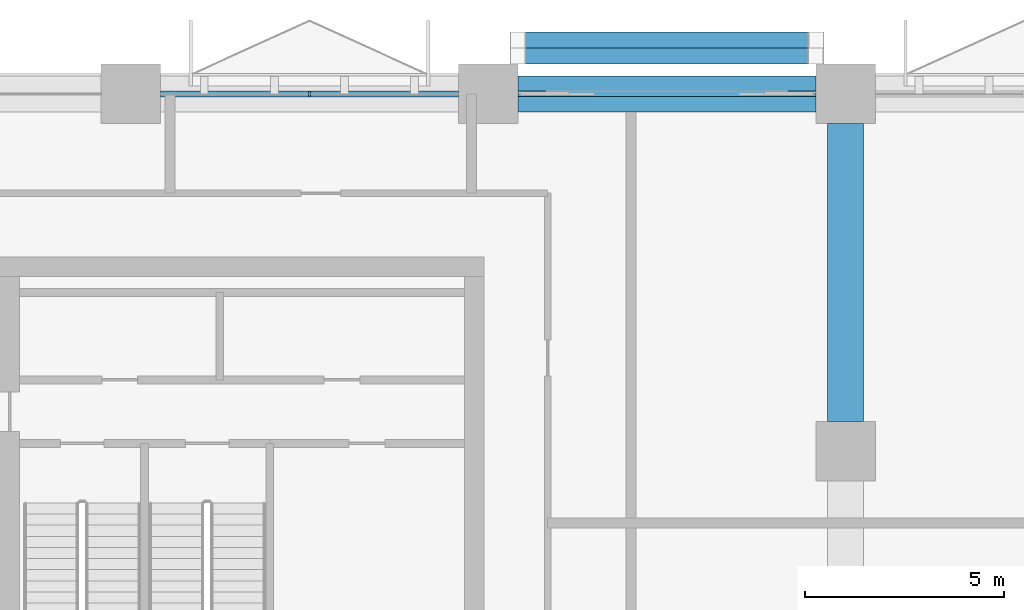
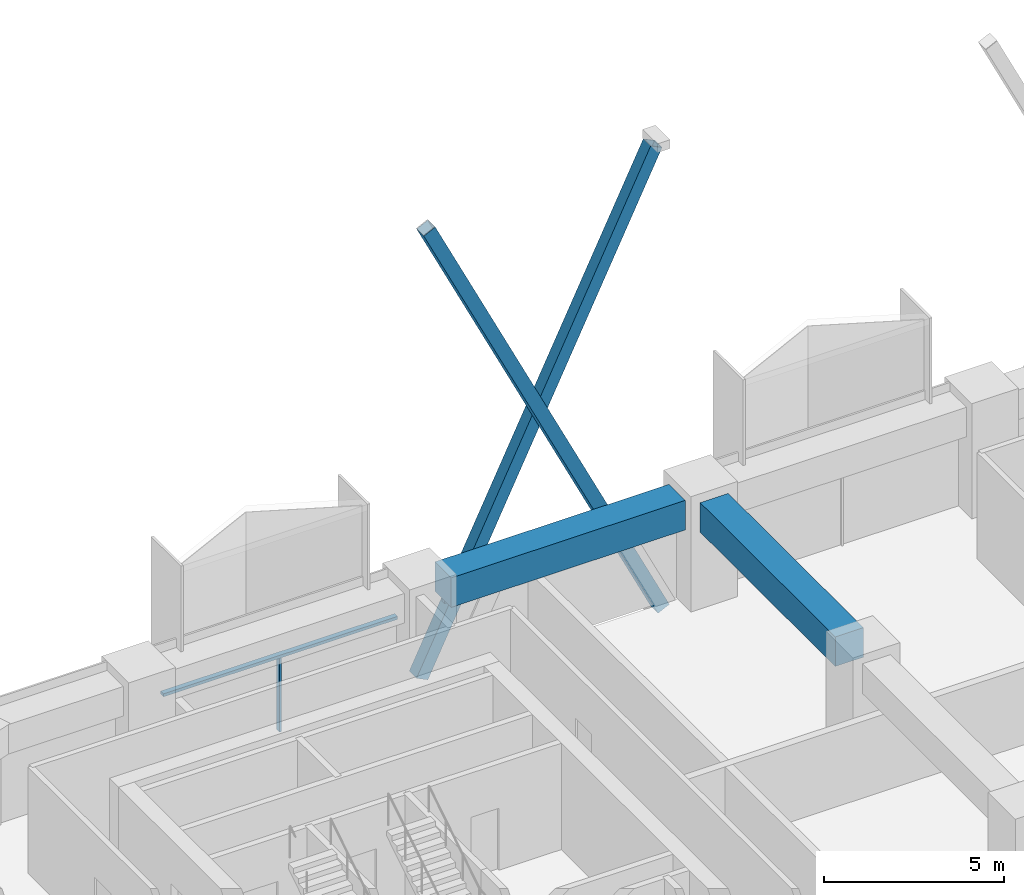
# One storey, part 4 of 14: 5 members, 2 beams, 2 elements without a shape of their own.
"""IFC4 building model written with IfcOpenShell, lengths in metres."""

import ifcopenshell
import ifcopenshell.guid

model = None  # the IFC model being written
_history = None  # IfcOwnerHistory: only IFC2X3 demands one
_inside = {}  # id of a spatial element -> (the spatial element, [elements in it])
_under = {}  # id of a project, library or spatial element -> (it, [spatial elements below it])
_declared = {}  # id of a project -> (the project, [libraries it declares])
_typed = {}  # id of a type object -> (the type object, [elements of that type])
_made_of = {}  # id of a material, layer set ... -> (it, [elements and type objects made of it])


def new_model(schema):
    """Start an empty IFC model of exactly this schema.

    Asked for "IFC4X3", IfcOpenShell would pick the latest addendum, in which some entities
    have other attributes; the version numbers below select the first issue.
    IFC2X3 requires an IfcOwnerHistory on every rooted entity: one is made here for all.
    """
    global model, _history
    if schema == "IFC4X3":
        model = ifcopenshell.file(schema_version=(4, 3, 0, 0))
    else:
        model = ifcopenshell.file(schema=schema)
    _inside.clear()
    _under.clear()
    _declared.clear()
    _typed.clear()
    _made_of.clear()
    _history = None
    if model.schema == "IFC2X3":
        org = make("IfcOrganization", Name="unknown")
        user = make(
            "IfcPersonAndOrganization",
            ThePerson=make("IfcPerson", FamilyName="unknown"),
            TheOrganization=org,
        )
        app = make(
            "IfcApplication",
            ApplicationDeveloper=org,
            Version="unknown",
            ApplicationFullName="unknown",
            ApplicationIdentifier="unknown",
        )
        _history = make(
            "IfcOwnerHistory",
            OwningUser=user,
            OwningApplication=app,
            ChangeAction="ADDED",
            CreationDate=0,
        )
    return model


def make(cls, **values):
    """One entity of the class cls with the attributes given. An attribute that is None is left unset."""
    return model.create_entity(
        cls, **{name: value for name, value in values.items() if value is not None}
    )


def rooted(cls, **values):
    """An entity with a GlobalId (a new one), such as an element, a storey or a relation."""
    return make(cls, GlobalId=ifcopenshell.guid.new(), OwnerHistory=_history, **values)


def si_unit(unit_type, name, prefix=None):
    """IfcSIUnit, for example si_unit("LENGTHUNIT", "METRE", prefix="MILLI")."""
    return make("IfcSIUnit", UnitType=unit_type, Prefix=prefix, Name=name)


def assignment(units):
    """IfcUnitAssignment: the units of a project."""
    return None if units is None else make("IfcUnitAssignment", Units=units)


def point(xyz):
    """IfcCartesianPoint."""
    return None if xyz is None else make("IfcCartesianPoint", Coordinates=xyz)


def direction(xyz):
    """IfcDirection."""
    return None if xyz is None else make("IfcDirection", DirectionRatios=xyz)


def frame(location, z_axis=None, x_axis=None):
    """IfcAxis2Placement3D, a coordinate frame: its origin and axes. An axis left out is left unset."""
    return make(
        "IfcAxis2Placement3D",
        Location=point(location),
        Axis=direction(z_axis),
        RefDirection=direction(x_axis),
    )


def frame_2d(location, x_axis=None):
    """IfcAxis2Placement2D, a coordinate frame in the plane: its origin and x axis."""
    return make(
        "IfcAxis2Placement2D", Location=point(location), RefDirection=direction(x_axis)
    )


def origin():
    """The frame at (0, 0, 0) with its axes left unset."""
    return frame((0.0, 0.0, 0.0))


def origin_2d():
    """The frame at (0, 0) in the plane with its x axis left unset."""
    return frame_2d((0.0, 0.0))


def place(relative_to, where):
    """IfcLocalPlacement: puts the frame where relative to a parent placement (None: the world)."""
    return make(
        "IfcLocalPlacement", PlacementRelTo=relative_to, RelativePlacement=where
    )


def context(
    kind, dimensions, precision=None, world=None, true_north=None, identifier=None
):
    """IfcGeometricRepresentationContext, for example the 3D "Model" context."""
    return make(
        "IfcGeometricRepresentationContext",
        ContextIdentifier=identifier,
        ContextType=kind,
        CoordinateSpaceDimension=dimensions,
        Precision=precision,
        WorldCoordinateSystem=world,
        TrueNorth=true_north,
    )


def subcontext(parent, identifier, kind, view, scale=None):
    """IfcGeometricRepresentationSubContext, for example "Body" below "Model"."""
    return make(
        "IfcGeometricRepresentationSubContext",
        ContextIdentifier=identifier,
        ContextType=kind,
        ParentContext=parent,
        TargetScale=scale,
        TargetView=view,
    )


def project(units=None, contexts=None):
    """IfcProject with its units and contexts."""
    return rooted(
        "IfcProject",
        Name="project",
        RepresentationContexts=contexts,
        UnitsInContext=assignment(units),
    )


def spatial(cls, under=None, at=None, **own):
    """A site, building, storey or space (cls), placed at a placement, below another one or the project."""
    s = rooted(cls, ObjectPlacement=at, **own)
    if under is not None:
        _under.setdefault(under.id(), (under, []))[1].append(s)
    return s


def profile(cls, at=None, kind="AREA", **sizes):
    """A parametric profile (cls). Its sizes go by their IFC names, for example OverallWidth=200.0."""
    return make(cls, ProfileType=kind, Position=at, **sizes)


def rectangle(**sizes):
    """IfcRectangleProfileDef."""
    return profile("IfcRectangleProfileDef", **sizes)


def hollow_rectangle(**sizes):
    """IfcRectangleHollowProfileDef."""
    return profile("IfcRectangleHollowProfileDef", **sizes)


def extrude(swept, where, along, depth):
    """IfcExtrudedAreaSolid: the profile swept, set in the frame where, extruded along a direction by depth."""
    return make(
        "IfcExtrudedAreaSolid",
        SweptArea=swept,
        Position=where,
        ExtrudedDirection=direction(along),
        Depth=depth,
    )


def shape(context_of_items, identifier, shape_type, items):
    """IfcShapeRepresentation: the items that make up one representation, for example the "Body"."""
    return make(
        "IfcShapeRepresentation",
        ContextOfItems=context_of_items,
        RepresentationIdentifier=identifier,
        RepresentationType=shape_type,
        Items=items,
    )


def material(Name=None, Category=None):
    """IfcMaterial."""
    return make("IfcMaterial", Name=Name, Category=Category)


def material_profile(
    of_material, cross_section, Name=None, Category=None, Priority=None
):
    """IfcMaterialProfile: a cross section and its material."""
    return make(
        "IfcMaterialProfile",
        Name=Name,
        Material=of_material,
        Profile=cross_section,
        Priority=Priority,
        Category=Category,
    )


def profile_set(profiles, Name=None, composite=None):
    """IfcMaterialProfileSet."""
    return make(
        "IfcMaterialProfileSet",
        Name=Name,
        MaterialProfiles=profiles,
        CompositeProfile=composite,
    )


def made_of(thing, what):
    """Note that an element or type object is made of a material, layer set ...; save() writes the relation."""
    if what is not None:
        _made_of.setdefault(what.id(), (what, []))[1].append(thing)
    return thing


def type_object(cls, material=None, **own):
    """A type object (cls), such as IfcWallType, which elements share."""
    return made_of(rooted(cls, **own), material)


def element(
    cls,
    number,
    at=None,
    inside=None,
    cuts=None,
    type_object=None,
    material=None,
    context=None,
    identifier="Body",
    shape_type=None,
    held_by="IfcProductDefinitionShape",
    body=None,
    shapes=None,
    **own,
):
    """One element of the class cls, such as IfcWall. Its Tag is "e" and its number.

    at: its placement. inside: the storey or other place that contains it. cuts: it is an
    opening in that element (IfcRelVoidsElement). A single representation is given by context,
    identifier, shape_type and body (its items); several are given by shapes. held_by: the class
    of the entity that holds the representations. save() writes the other relations.
    """
    e = rooted(cls, Tag="e%d" % number, ObjectPlacement=at, **own)
    if body is not None:
        shapes = [shape(context, identifier, shape_type, body)]
    if shapes is not None:
        e.Representation = make(held_by, Representations=shapes)
    if inside is not None:
        _inside.setdefault(inside.id(), (inside, []))[1].append(e)
    if cuts is not None:
        rooted(
            "IfcRelVoidsElement", RelatingBuildingElement=cuts, RelatedOpeningElement=e
        )
    if type_object is not None:
        _typed.setdefault(type_object.id(), (type_object, []))[1].append(e)
    return made_of(e, material)


def aggregate(whole, parts):
    """IfcRelAggregates: a whole, such as a stair, and the parts it consists of."""
    return rooted("IfcRelAggregates", RelatingObject=whole, RelatedObjects=parts)


def save(model, path):
    """Write the relations noted so far, then the file.

    IfcRelAggregates (storeys below a building ...), IfcRelContainedInSpatialStructure (elements
    in a storey), IfcRelDefinesByType, IfcRelAssociatesMaterial and IfcRelDeclares: one each for
    every whole, place, type object, material and project.
    """
    for whole, parts in _under.values():
        aggregate(whole, parts)
    for where, things in _inside.values():
        rooted(
            "IfcRelContainedInSpatialStructure",
            RelatedElements=things,
            RelatingStructure=where,
        )
    for kind, things in _typed.values():
        rooted("IfcRelDefinesByType", RelatedObjects=things, RelatingType=kind)
    for what, things in _made_of.values():
        rooted("IfcRelAssociatesMaterial", RelatedObjects=things, RelatingMaterial=what)
    for by, libraries in _declared.values():
        rooted("IfcRelDeclares", RelatingContext=by, RelatedDefinitions=libraries)
    model.write(path)


model = new_model("IFC4")

# Units and contexts
model_context = context("Model", 3, precision=1e-05, world=origin(), true_north=direction((0.0, 1.0)))
body_context = subcontext(model_context, "Body", "Model", "MODEL_VIEW")
ifc_project = project(units=[si_unit("LENGTHUNIT", "METRE"), si_unit("AREAUNIT", "SQUARE_METRE"), si_unit("VOLUMEUNIT", "CUBIC_METRE"), si_unit("PLANEANGLEUNIT", "RADIAN"), si_unit("MASSUNIT", "GRAM", prefix="KILO")], contexts=[model_context])

# Site, building, storey
site_placement = place(None, origin())
site = spatial("IfcSite", under=ifc_project, at=site_placement, CompositionType="ELEMENT")
building_placement = place(site_placement, origin())
building = spatial("IfcBuilding", under=site, at=building_placement, Name="Tessera Arch", CompositionType="ELEMENT")
storey_placement = place(building_placement, frame((0.0, 0.0, 181.699951171875)))
storey = spatial("IfcBuildingStorey", under=building, at=storey_placement, Name="L43", CompositionType="ELEMENT", Elevation=181.699951171875)

# Members
ifc_material_1 = material(Name="Steel A500 Gr C", Category="steel")
ifc_material_profile_1 = material_profile(ifc_material_1, hollow_rectangle(XDim=0.406494140625, YDim=0.406494140625, WallThickness=0.0146484375, at=origin_2d()), Name="HSS16x16x5/8")
ifc_profile_set_1 = profile_set([ifc_material_profile_1], Name="Steel A500 Gr C")
member_type_1 = type_object("IfcMemberType", Name="Brace HSS16x16x5/8 Steel A500 Gr C", PredefinedType="BRACE", material=ifc_profile_set_1)
for number, where, z_axis, x_axis, name in (
    (1, (26.25, 54.953125, -0.800048828125), (-0.437845074659, 0.0, 0.899050438294), (0.0, -1.0, 0.0), "Brace N54.0-3 A L43-L46"),
    (2, (18.75, 55.359619140625, -0.800048828125), (0.437845074659, 0.0, 0.899050438294), (0.0, 1.0, 0.0), "Brace N54.0-3 B L43-L46"),
):
    element("IfcMember", number, at=place(storey_placement, frame(where, z_axis=z_axis, x_axis=x_axis)), inside=storey, type_object=member_type_1, Name=name, PredefinedType="BRACE", context=body_context, shape_type="SweptSolid", body=[
        extrude(hollow_rectangle(XDim=0.406494140625, YDim=0.406494140625, WallThickness=0.0146484375, at=origin_2d()), origin(), (0.0, 0.0, 1.0), 17.12939453125),
    ])

# Curtain wall, members
ifc_material_2 = material(Name="CW1 curtain wall")
curtain_wall_type_1 = type_object("IfcCurtainWallType", Name="CW1 curtain wall", PredefinedType="NOTDEFINED", material=ifc_material_2)
curtain_wall_1_placement = place(storey_placement, origin())
curtain_wall_1 = element("IfcCurtainWall", 3, at=curtain_wall_1_placement, inside=storey, type_object=curtain_wall_type_1, Name="CW1 curtain wall N54.0/4 L43", PredefinedType="NOTDEFINED")
ifc_material_3 = material(Name="Anodised aluminium pale metal", Category="aluminium")
ifc_material_profile_2 = material_profile(ifc_material_3, rectangle(XDim=0.159912109375, YDim=0.06005859375, at=origin_2d()), Name="AL 60x160")
ifc_profile_set_2 = profile_set([ifc_material_profile_2], Name="Anodised aluminium pale metal")
member_type_2 = type_object("IfcMemberType", Name="CW1 mullion", PredefinedType="MULLION", material=ifc_profile_set_2)
member_1_placement = place(storey_placement, frame((13.5, 54.0, 0.0), z_axis=(0.0, 0.0, 1.0), x_axis=(0.0, -1.0, 0.0)))
member_1 = element("IfcMember", 4, at=member_1_placement, type_object=member_type_2, Name="CW1 mullion N54.0/4 1", PredefinedType="MULLION", context=body_context, shape_type="SweptSolid", body=[
    extrude(rectangle(XDim=0.159912109375, YDim=0.06005859375, at=origin_2d()), origin(), (0.0, 0.0, 1.0), 2.5),
])
ifc_material_4 = material(Name="Anodised aluminium pale metal", Category="aluminium")
ifc_material_profile_3 = material_profile(ifc_material_4, rectangle(XDim=0.159912109375, YDim=0.10009765625, at=origin_2d()), Name="AL 160x100")
ifc_profile_set_3 = profile_set([ifc_material_profile_3], Name="Anodised aluminium pale metal")
member_type_3 = type_object("IfcMemberType", Name="CW1 transom", PredefinedType="USERDEFINED", material=ifc_profile_set_3)
member_2_placement = place(storey_placement, frame((17.25, 54.0, 2.550048828125), z_axis=(-1.0, 0.0, 0.0), x_axis=(0.0, -1.0, 0.0)))
member_2 = element("IfcMember", 5, at=member_2_placement, type_object=member_type_3, Name="CW1 transom N54.0/4 1.1", ObjectType="TRANSOM", PredefinedType="USERDEFINED", context=body_context, shape_type="SweptSolid", body=[
    extrude(rectangle(XDim=0.159912109375, YDim=0.10009765625, at=origin_2d()), origin(), (0.0, 0.0, 1.0), 7.5),
])
aggregate(curtain_wall_1, [member_1, member_2])

# Curtain wall, member
ifc_material_5 = material(Name="CW3 curtain wall")
curtain_wall_type_2 = type_object("IfcCurtainWallType", Name="CW3 curtain wall", PredefinedType="NOTDEFINED", material=ifc_material_5)
curtain_wall_2_placement = place(storey_placement, origin())
curtain_wall_2 = element("IfcCurtainWall", 6, at=curtain_wall_2_placement, inside=storey, type_object=curtain_wall_type_2, Name="CW3 curtain wall N54.0/3 L43", PredefinedType="NOTDEFINED")
ifc_material_6 = material(Name="Anodised aluminium pale metal", Category="aluminium")
ifc_material_profile_4 = material_profile(ifc_material_6, rectangle(XDim=0.139892578125, YDim=0.10009765625, at=origin_2d()), Name="AL 140x100")
ifc_profile_set_4 = profile_set([ifc_material_profile_4], Name="Anodised aluminium pale metal")
member_type_4 = type_object("IfcMemberType", Name="CW3 transom", PredefinedType="USERDEFINED", material=ifc_profile_set_4)
member_3_placement = place(storey_placement, frame((26.25, 54.0, 2.550048828125), z_axis=(-1.0, 0.0, 0.0), x_axis=(0.0, -1.0, 0.0)))
member_3 = element("IfcMember", 7, at=member_3_placement, type_object=member_type_4, Name="CW3 transom N54.0/3 1.1", ObjectType="TRANSOM", PredefinedType="USERDEFINED", context=body_context, shape_type="SweptSolid", body=[
    extrude(rectangle(XDim=0.139892578125, YDim=0.10009765625, at=origin_2d()), origin(), (0.0, 0.0, 1.0), 7.5),
])
aggregate(curtain_wall_2, [member_3])

# Beams
ifc_material_7 = material(Name="Concrete C70/85", Category="concrete")
ifc_material_profile_5 = material_profile(ifc_material_7, rectangle(XDim=0.89990234375, YDim=1.0, at=origin_2d()), Name="RC spandrel beam 900 x 1000 Concrete C70/85")
ifc_profile_set_5 = profile_set([ifc_material_profile_5], Name="Concrete C70/85")
beam_type = type_object("IfcBeamType", Name="RC spandrel beam 900 x 1000 Concrete C70/85", PredefinedType="BEAM", material=ifc_profile_set_5)
for number, where, z_axis, x_axis, name in (
    (8, (26.25, 54.0, 3.10009765625), (-1.0, 0.0, 0.0), (0.0, -1.0, 0.0), "Spandrel beam L43 N54.0/3"),
    (9, (27.0, 45.75, 3.10009765625), (0.0, 1.0, 0.0), (-1.0, 0.0, 0.0), "Interface beam L43 I0C4F-C4G"),
):
    element("IfcBeam", number, at=place(storey_placement, frame(where, z_axis=z_axis, x_axis=x_axis)), inside=storey, type_object=beam_type, Name=name, PredefinedType="BEAM", context=body_context, shape_type="SweptSolid", body=[
        extrude(rectangle(XDim=0.89990234375, YDim=1.0, at=origin_2d()), origin(), (0.0, 0.0, 1.0), 7.5),
    ])

save(model, "model.ifc")
